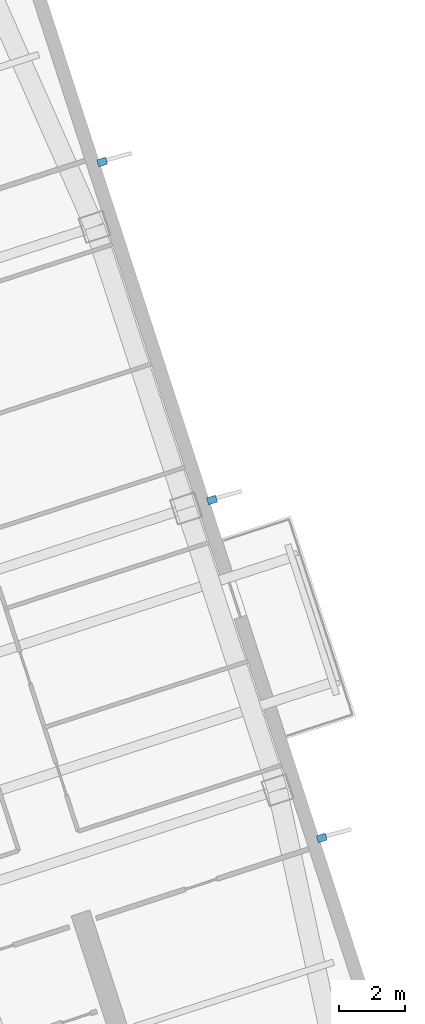
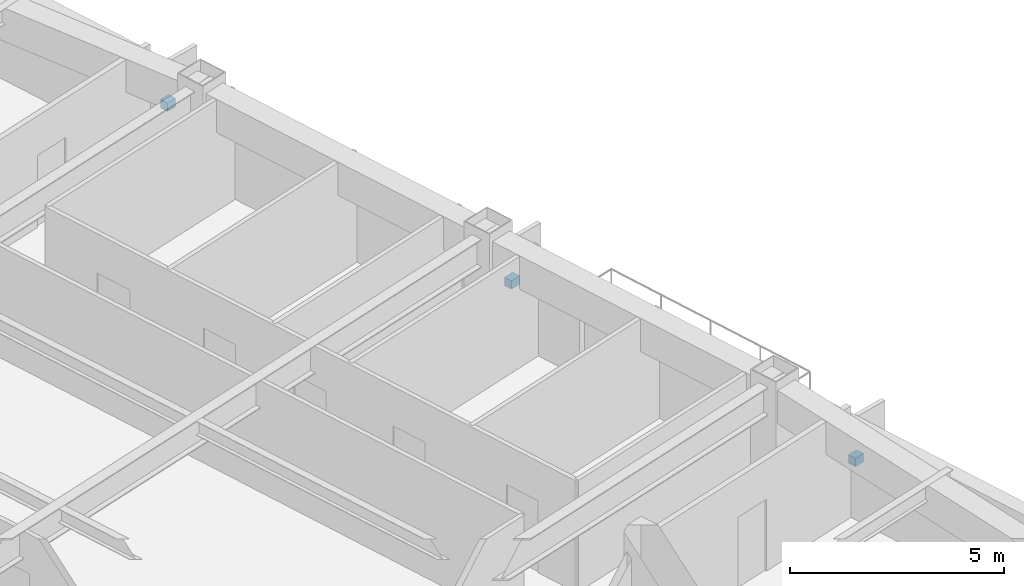
# One storey, part 12 of 17: 3 discrete accessories.
"""IFC4 building model written with IfcOpenShell, lengths in metres."""

from ifc_helpers import new_model, si_unit, direction, frame, origin, origin_2d, place, context, subcontext, project, spatial, rectangle, extrude, material, type_object, element, save


model = new_model("IFC4")

# Units and contexts
model_context = context("Model", 3, precision=1e-05, world=origin(), true_north=direction((0.0, 1.0)))
body_context = subcontext(model_context, "Body", "Model", "MODEL_VIEW")
ifc_project = project(units=[si_unit("LENGTHUNIT", "METRE"), si_unit("AREAUNIT", "SQUARE_METRE"), si_unit("VOLUMEUNIT", "CUBIC_METRE"), si_unit("PLANEANGLEUNIT", "RADIAN"), si_unit("MASSUNIT", "GRAM", prefix="KILO")], contexts=[model_context])

# Site, building, storey
site_placement = place(None, origin())
site = spatial("IfcSite", under=ifc_project, at=site_placement, CompositionType="ELEMENT")
building_placement = place(site_placement, origin())
building = spatial("IfcBuilding", under=site, at=building_placement, Name="Qiaolan Cultural Towers", CompositionType="ELEMENT")
storey_placement = place(building_placement, frame((0.0, 0.0, 152.949951171875)))
storey = spatial("IfcBuildingStorey", under=building, at=storey_placement, Name="L40", CompositionType="ELEMENT", Elevation=152.949951171875)

# Discrete accessories
ifc_material = material(Name="Stainless Steel S31608 Facade Anchor Bracket", Category="steel")
discrete_accessory_type = type_object("IfcDiscreteAccessoryType", Name="ACC-BRK-SS", PredefinedType="BRACKET", material=ifc_material)
for number, where, z_axis, x_axis, name in (
    (1, (108.440185546875, 28.6357421875, 1.18505859375), (0.0, 0.0, 1.0), (0.951056516295, 0.309016994375, 0.0), "L40 T2 Facade Fin Anchor Bracket E1"),
    (2, (105.102783203125, 38.9072265625, 1.18505859375), (0.0, 0.0, 1.0), (0.951056516295, 0.309016994375, 0.0), "L40 T2 Facade Fin Anchor Bracket E2"),
    (3, (101.765380859375, 49.1787109375, 1.18505859375), (0.0, 0.0, 1.0), (0.951056516295, 0.309016994375, 0.0), "L40 T2 Facade Fin Anchor Bracket E3"),
):
    element("IfcDiscreteAccessory", number, at=place(storey_placement, frame(where, z_axis=z_axis, x_axis=x_axis)), inside=storey, type_object=discrete_accessory_type, Name=name, PredefinedType="BRACKET", context=body_context, shape_type="SweptSolid", body=[
        extrude(rectangle(XDim=0.280029296875, YDim=0.219970703125, at=origin_2d()), origin(), (0.0, 0.0, 1.0), 0.239990234375),
    ])

save(model, "model.ifc")
